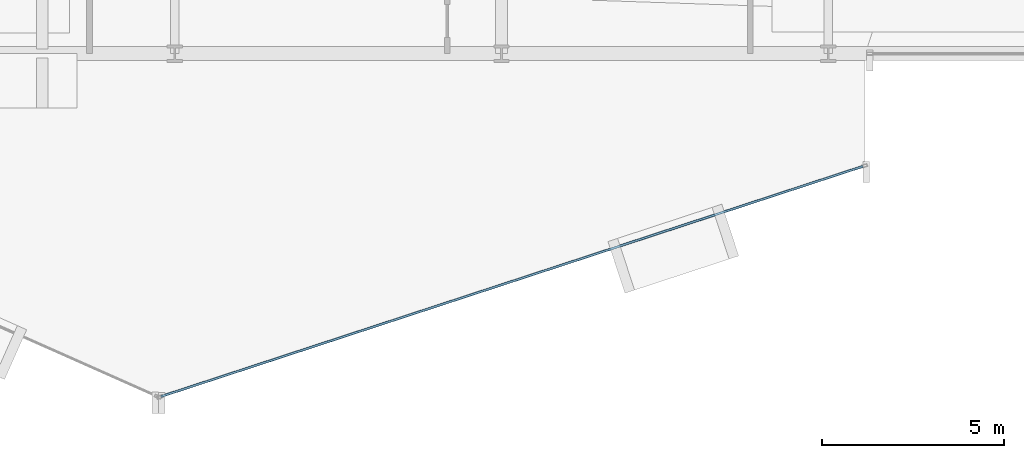
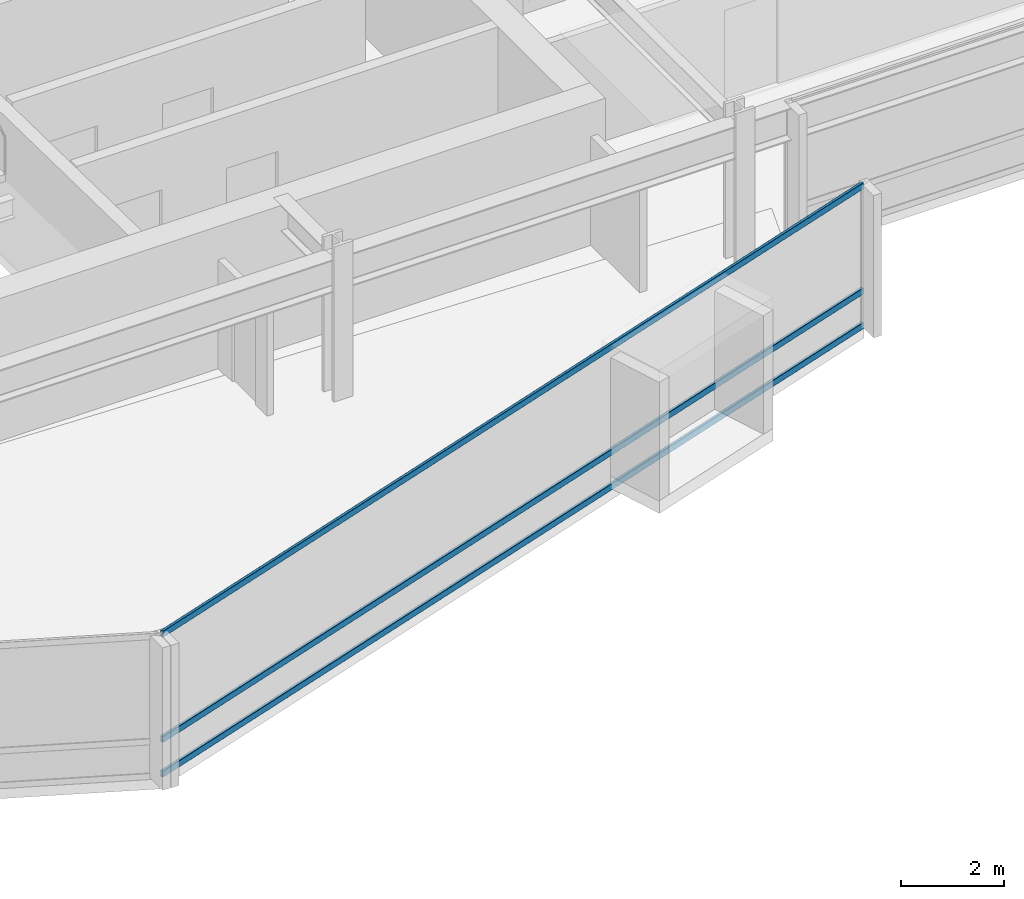
# One storey, part 9 of 35: 3 members, 1 element without a shape of its own.
"""IFC4 building model written with IfcOpenShell, lengths in metres."""

import ifcopenshell
import ifcopenshell.guid

model = None  # the IFC model being written
_history = None  # IfcOwnerHistory: only IFC2X3 demands one
_inside = {}  # id of a spatial element -> (the spatial element, [elements in it])
_under = {}  # id of a project, library or spatial element -> (it, [spatial elements below it])
_declared = {}  # id of a project -> (the project, [libraries it declares])
_typed = {}  # id of a type object -> (the type object, [elements of that type])
_made_of = {}  # id of a material, layer set ... -> (it, [elements and type objects made of it])


def new_model(schema):
    """Start an empty IFC model of exactly this schema.

    Asked for "IFC4X3", IfcOpenShell would pick the latest addendum, in which some entities
    have other attributes; the version numbers below select the first issue.
    IFC2X3 requires an IfcOwnerHistory on every rooted entity: one is made here for all.
    """
    global model, _history
    if schema == "IFC4X3":
        model = ifcopenshell.file(schema_version=(4, 3, 0, 0))
    else:
        model = ifcopenshell.file(schema=schema)
    _inside.clear()
    _under.clear()
    _declared.clear()
    _typed.clear()
    _made_of.clear()
    _history = None
    if model.schema == "IFC2X3":
        org = make("IfcOrganization", Name="unknown")
        user = make(
            "IfcPersonAndOrganization",
            ThePerson=make("IfcPerson", FamilyName="unknown"),
            TheOrganization=org,
        )
        app = make(
            "IfcApplication",
            ApplicationDeveloper=org,
            Version="unknown",
            ApplicationFullName="unknown",
            ApplicationIdentifier="unknown",
        )
        _history = make(
            "IfcOwnerHistory",
            OwningUser=user,
            OwningApplication=app,
            ChangeAction="ADDED",
            CreationDate=0,
        )
    return model


def make(cls, **values):
    """One entity of the class cls with the attributes given. An attribute that is None is left unset."""
    return model.create_entity(
        cls, **{name: value for name, value in values.items() if value is not None}
    )


def rooted(cls, **values):
    """An entity with a GlobalId (a new one), such as an element, a storey or a relation."""
    return make(cls, GlobalId=ifcopenshell.guid.new(), OwnerHistory=_history, **values)


def si_unit(unit_type, name, prefix=None):
    """IfcSIUnit, for example si_unit("LENGTHUNIT", "METRE", prefix="MILLI")."""
    return make("IfcSIUnit", UnitType=unit_type, Prefix=prefix, Name=name)


def assignment(units):
    """IfcUnitAssignment: the units of a project."""
    return None if units is None else make("IfcUnitAssignment", Units=units)


def point(xyz):
    """IfcCartesianPoint."""
    return None if xyz is None else make("IfcCartesianPoint", Coordinates=xyz)


def direction(xyz):
    """IfcDirection."""
    return None if xyz is None else make("IfcDirection", DirectionRatios=xyz)


def frame(location, z_axis=None, x_axis=None):
    """IfcAxis2Placement3D, a coordinate frame: its origin and axes. An axis left out is left unset."""
    return make(
        "IfcAxis2Placement3D",
        Location=point(location),
        Axis=direction(z_axis),
        RefDirection=direction(x_axis),
    )


def frame_2d(location, x_axis=None):
    """IfcAxis2Placement2D, a coordinate frame in the plane: its origin and x axis."""
    return make(
        "IfcAxis2Placement2D", Location=point(location), RefDirection=direction(x_axis)
    )


def origin():
    """The frame at (0, 0, 0) with its axes left unset."""
    return frame((0.0, 0.0, 0.0))


def origin_2d():
    """The frame at (0, 0) in the plane with its x axis left unset."""
    return frame_2d((0.0, 0.0))


def place(relative_to, where):
    """IfcLocalPlacement: puts the frame where relative to a parent placement (None: the world)."""
    return make(
        "IfcLocalPlacement", PlacementRelTo=relative_to, RelativePlacement=where
    )


def context(
    kind, dimensions, precision=None, world=None, true_north=None, identifier=None
):
    """IfcGeometricRepresentationContext, for example the 3D "Model" context."""
    return make(
        "IfcGeometricRepresentationContext",
        ContextIdentifier=identifier,
        ContextType=kind,
        CoordinateSpaceDimension=dimensions,
        Precision=precision,
        WorldCoordinateSystem=world,
        TrueNorth=true_north,
    )


def subcontext(parent, identifier, kind, view, scale=None):
    """IfcGeometricRepresentationSubContext, for example "Body" below "Model"."""
    return make(
        "IfcGeometricRepresentationSubContext",
        ContextIdentifier=identifier,
        ContextType=kind,
        ParentContext=parent,
        TargetScale=scale,
        TargetView=view,
    )


def project(units=None, contexts=None):
    """IfcProject with its units and contexts."""
    return rooted(
        "IfcProject",
        Name="project",
        RepresentationContexts=contexts,
        UnitsInContext=assignment(units),
    )


def spatial(cls, under=None, at=None, **own):
    """A site, building, storey or space (cls), placed at a placement, below another one or the project."""
    s = rooted(cls, ObjectPlacement=at, **own)
    if under is not None:
        _under.setdefault(under.id(), (under, []))[1].append(s)
    return s


def profile(cls, at=None, kind="AREA", **sizes):
    """A parametric profile (cls). Its sizes go by their IFC names, for example OverallWidth=200.0."""
    return make(cls, ProfileType=kind, Position=at, **sizes)


def hollow_rectangle(**sizes):
    """IfcRectangleHollowProfileDef."""
    return profile("IfcRectangleHollowProfileDef", **sizes)


def extrude(swept, where, along, depth):
    """IfcExtrudedAreaSolid: the profile swept, set in the frame where, extruded along a direction by depth."""
    return make(
        "IfcExtrudedAreaSolid",
        SweptArea=swept,
        Position=where,
        ExtrudedDirection=direction(along),
        Depth=depth,
    )


def shape(context_of_items, identifier, shape_type, items):
    """IfcShapeRepresentation: the items that make up one representation, for example the "Body"."""
    return make(
        "IfcShapeRepresentation",
        ContextOfItems=context_of_items,
        RepresentationIdentifier=identifier,
        RepresentationType=shape_type,
        Items=items,
    )


def material(Name=None, Category=None):
    """IfcMaterial."""
    return make("IfcMaterial", Name=Name, Category=Category)


def layer(
    of_material, thickness, ventilated=None, Name=None, Category=None, Priority=None
):
    """IfcMaterialLayer: one layer of a wall or slab, of a material (None: an air gap)."""
    return make(
        "IfcMaterialLayer",
        Material=of_material,
        LayerThickness=thickness,
        IsVentilated=ventilated,
        Name=Name,
        Category=Category,
        Priority=Priority,
    )


def layer_set(layers, Name=None):
    """IfcMaterialLayerSet."""
    return make("IfcMaterialLayerSet", MaterialLayers=layers, LayerSetName=Name)


def material_profile(
    of_material, cross_section, Name=None, Category=None, Priority=None
):
    """IfcMaterialProfile: a cross section and its material."""
    return make(
        "IfcMaterialProfile",
        Name=Name,
        Material=of_material,
        Profile=cross_section,
        Priority=Priority,
        Category=Category,
    )


def profile_set(profiles, Name=None, composite=None):
    """IfcMaterialProfileSet."""
    return make(
        "IfcMaterialProfileSet",
        Name=Name,
        MaterialProfiles=profiles,
        CompositeProfile=composite,
    )


def made_of(thing, what):
    """Note that an element or type object is made of a material, layer set ...; save() writes the relation."""
    if what is not None:
        _made_of.setdefault(what.id(), (what, []))[1].append(thing)
    return thing


def type_object(cls, material=None, **own):
    """A type object (cls), such as IfcWallType, which elements share."""
    return made_of(rooted(cls, **own), material)


def element(
    cls,
    number,
    at=None,
    inside=None,
    cuts=None,
    type_object=None,
    material=None,
    context=None,
    identifier="Body",
    shape_type=None,
    held_by="IfcProductDefinitionShape",
    body=None,
    shapes=None,
    **own,
):
    """One element of the class cls, such as IfcWall. Its Tag is "e" and its number.

    at: its placement. inside: the storey or other place that contains it. cuts: it is an
    opening in that element (IfcRelVoidsElement). A single representation is given by context,
    identifier, shape_type and body (its items); several are given by shapes. held_by: the class
    of the entity that holds the representations. save() writes the other relations.
    """
    e = rooted(cls, Tag="e%d" % number, ObjectPlacement=at, **own)
    if body is not None:
        shapes = [shape(context, identifier, shape_type, body)]
    if shapes is not None:
        e.Representation = make(held_by, Representations=shapes)
    if inside is not None:
        _inside.setdefault(inside.id(), (inside, []))[1].append(e)
    if cuts is not None:
        rooted(
            "IfcRelVoidsElement", RelatingBuildingElement=cuts, RelatedOpeningElement=e
        )
    if type_object is not None:
        _typed.setdefault(type_object.id(), (type_object, []))[1].append(e)
    return made_of(e, material)


def aggregate(whole, parts):
    """IfcRelAggregates: a whole, such as a stair, and the parts it consists of."""
    return rooted("IfcRelAggregates", RelatingObject=whole, RelatedObjects=parts)


def save(model, path):
    """Write the relations noted so far, then the file.

    IfcRelAggregates (storeys below a building ...), IfcRelContainedInSpatialStructure (elements
    in a storey), IfcRelDefinesByType, IfcRelAssociatesMaterial and IfcRelDeclares: one each for
    every whole, place, type object, material and project.
    """
    for whole, parts in _under.values():
        aggregate(whole, parts)
    for where, things in _inside.values():
        rooted(
            "IfcRelContainedInSpatialStructure",
            RelatedElements=things,
            RelatingStructure=where,
        )
    for kind, things in _typed.values():
        rooted("IfcRelDefinesByType", RelatedObjects=things, RelatingType=kind)
    for what, things in _made_of.values():
        rooted("IfcRelAssociatesMaterial", RelatedObjects=things, RelatingMaterial=what)
    for by, libraries in _declared.values():
        rooted("IfcRelDeclares", RelatingContext=by, RelatedDefinitions=libraries)
    model.write(path)


model = new_model("IFC4")

# Units and contexts
model_context = context("Model", 3, precision=1e-05, world=origin(), true_north=direction((0.0, 1.0)))
body_context = subcontext(model_context, "Body", "Model", "MODEL_VIEW")
ifc_project = project(units=[si_unit("LENGTHUNIT", "METRE"), si_unit("AREAUNIT", "SQUARE_METRE"), si_unit("VOLUMEUNIT", "CUBIC_METRE"), si_unit("PLANEANGLEUNIT", "RADIAN"), si_unit("MASSUNIT", "GRAM", prefix="KILO")], contexts=[model_context])

# Site, building, storey
site_placement = place(None, origin())
site = spatial("IfcSite", under=ifc_project, at=site_placement, CompositionType="ELEMENT")
building_placement = place(site_placement, origin())
building = spatial("IfcBuilding", under=site, at=building_placement, Name="Solvaryn Broadcast Tower", CompositionType="ELEMENT")
storey_placement = place(building_placement, frame((0.0, 0.0, 80.39990234375)))
storey = spatial("IfcBuildingStorey", under=building, at=storey_placement, Name="L19", CompositionType="ELEMENT", Elevation=80.39990234375)

# Curtain wall, members
ifc_material_1 = material(Name="Aluminium and Terracotta Unitised Curtain Wall", Category="masonry")
ifc_layer = layer(ifc_material_1, 0.199951171875)
ifc_layer_set = layer_set([ifc_layer], Name="CW-SYS2-LOWMID")
curtain_wall_type = type_object("IfcCurtainWallType", Name="CW-SYS2-LOWMID", PredefinedType="NOTDEFINED", material=ifc_layer_set)
curtain_wall_placement = place(storey_placement, origin())
curtain_wall = element("IfcCurtainWall", 1, at=curtain_wall_placement, inside=storey, type_object=curtain_wall_type, Name="L19 Curtain Wall DR4", PredefinedType="NOTDEFINED")
ifc_material_2 = material(Name="Anodised Aluminium 6063-T6", Category="aluminium")
ifc_material_profile = material_profile(ifc_material_2, hollow_rectangle(XDim=0.06494140625, YDim=0.14990234375, WallThickness=0.00390625, InnerFilletRadius=0.00390625, OuterFilletRadius=0.008056640625, at=origin_2d()))
ifc_profile_set = profile_set([ifc_material_profile], Name="Anodised Aluminium 6063-T6")
member_type = type_object("IfcMemberType", Name="CW-TRN-150", PredefinedType="USERDEFINED", material=ifc_profile_set)
member_1_placement = place(storey_placement, frame((26.616943359375, -0.4453125, 0.030029296875), z_axis=(0.950216792475, 0.311589549406, 0.0), x_axis=(-0.311589549406, 0.950216792475, 0.0)))
member_1 = element("IfcMember", 2, at=member_1_placement, type_object=member_type, Name="CWS2 transom 1.1", ObjectType="TRANSOM", PredefinedType="USERDEFINED", context=body_context, shape_type="SweptSolid", body=[
    extrude(hollow_rectangle(XDim=0.06494140625, YDim=0.14990234375, WallThickness=0.00390625, InnerFilletRadius=0.00390625, OuterFilletRadius=0.008056640625, at=origin_2d()), origin(), (0.0, 0.0, 1.0), 20.35546875),
])
member_2_placement = place(storey_placement, frame((26.616943359375, -0.4453125, 0.85009765625), z_axis=(0.950216792475, 0.311589549406, 0.0), x_axis=(-0.311589549406, 0.950216792475, 0.0)))
member_2 = element("IfcMember", 3, at=member_2_placement, type_object=member_type, Name="CWS2 transom 1.2", ObjectType="TRANSOM", PredefinedType="USERDEFINED", context=body_context, shape_type="SweptSolid", body=[
    extrude(hollow_rectangle(XDim=0.06494140625, YDim=0.14990234375, WallThickness=0.00390625, InnerFilletRadius=0.00390625, OuterFilletRadius=0.008056640625, at=origin_2d()), origin(), (0.0, 0.0, 1.0), 20.35546875),
])
member_3_placement = place(storey_placement, frame((26.616943359375, -0.4453125, 3.340087890625), z_axis=(0.950216792475, 0.311589549406, 0.0), x_axis=(-0.311589549406, 0.950216792475, 0.0)))
member_3 = element("IfcMember", 4, at=member_3_placement, type_object=member_type, Name="CWS2 transom 1.3", ObjectType="TRANSOM", PredefinedType="USERDEFINED", context=body_context, shape_type="SweptSolid", body=[
    extrude(hollow_rectangle(XDim=0.06494140625, YDim=0.14990234375, WallThickness=0.00390625, InnerFilletRadius=0.00390625, OuterFilletRadius=0.008056640625, at=origin_2d()), origin(), (0.0, 0.0, 1.0), 20.35546875),
])
aggregate(curtain_wall, [member_1, member_2, member_3])

save(model, "model.ifc")
